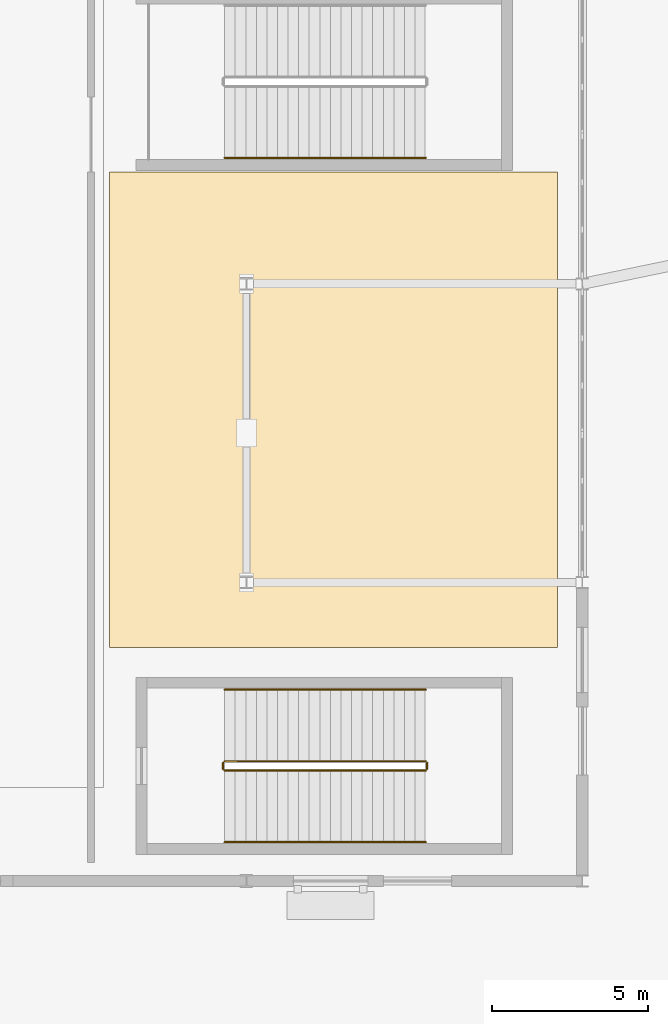
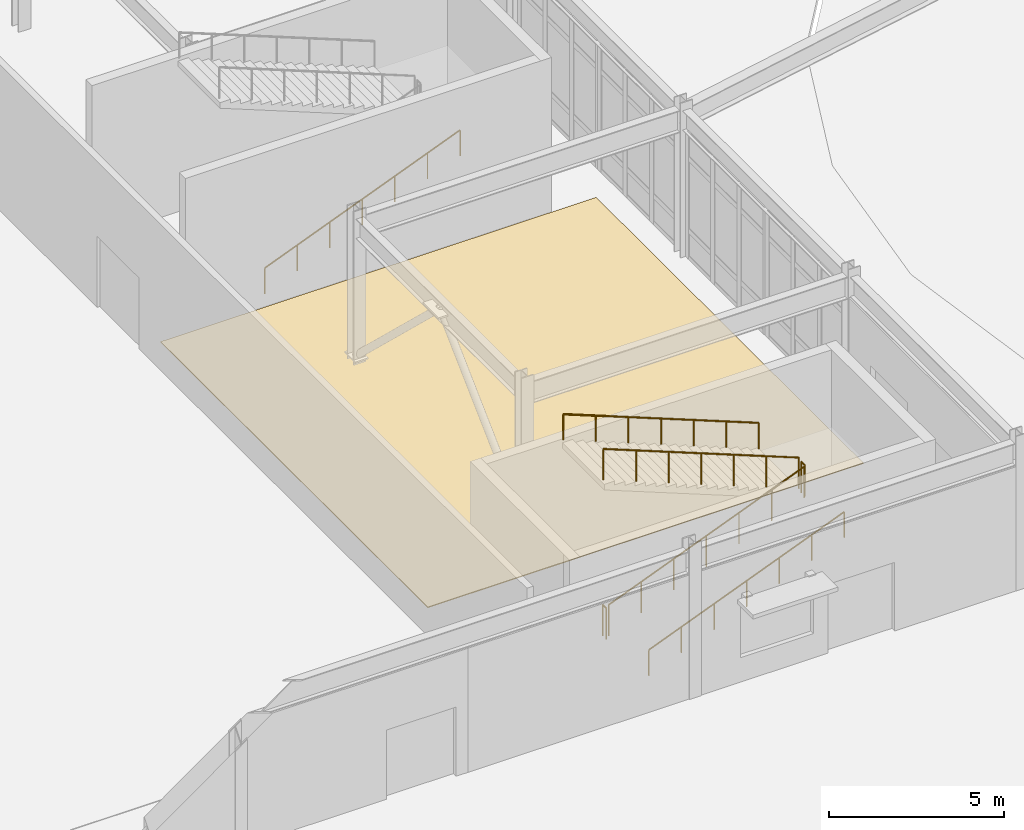
# One storey, part 46 of 54: 7 railings, 1 covering.
"""IFC4 building model written with IfcOpenShell, lengths in metres."""

from ifc_helpers import new_model, si_unit, direction, frame, origin, origin_2d, place, context, subcontext, project, spatial, polyline, circle, outline, extrude, material, layer, layer_set, type_object, element, save


model = new_model("IFC4")

# Units and contexts
model_context = context("Model", 3, precision=1e-05, world=origin(), true_north=direction((0.0, 1.0)))
body_context = subcontext(model_context, "Body", "Model", "MODEL_VIEW")
ifc_project = project(units=[si_unit("LENGTHUNIT", "METRE"), si_unit("AREAUNIT", "SQUARE_METRE"), si_unit("VOLUMEUNIT", "CUBIC_METRE"), si_unit("PLANEANGLEUNIT", "RADIAN"), si_unit("MASSUNIT", "GRAM", prefix="KILO")], contexts=[model_context])

# Site, building, storey
site_placement = place(None, origin())
site = spatial("IfcSite", under=ifc_project, at=site_placement, CompositionType="ELEMENT")
building_placement = place(site_placement, origin())
building = spatial("IfcBuilding", under=site, at=building_placement, Name="Veldera Park Congress Hotel", CompositionType="ELEMENT")
storey_placement = place(building_placement, origin())
storey = spatial("IfcBuildingStorey", under=building, at=storey_placement, Name="L00", CompositionType="ELEMENT", Elevation=0.0)

# Covering
ifc_material_1 = material(Name="Polished Sonoran Aggregate Terrazzo", Category="concrete")
ifc_layer = layer(ifc_material_1, 0.030029296875)
ifc_layer_set = layer_set([ifc_layer], Name="Polished Sonoran Aggregate Terrazzo")
covering_type = type_object("IfcCoveringType", Name="COV-FLR-TRZ", PredefinedType="FLOORING", material=ifc_layer_set)
covering_placement = place(storey_placement, origin())
element("IfcCovering", 1, at=covering_placement, inside=storey, type_object=covering_type, Name="Congress South Concourse Terrazzo Flooring", PredefinedType="FLOORING", context=body_context, shape_type="SweptSolid", body=[
    extrude(outline(polyline([(-16.800048828125, -13.5), (-2.39990234375, -13.5), (-2.39990234375, 1.800048828125), (-16.800048828125, 1.800048828125), (-16.800048828125, -13.5)])), origin(), (0.0, 0.0, 1.0), 0.030029296875),
])

# Railings
ifc_material_2 = material(Name="Steel ASTM A992 Gr.50", Category="steel")
railing_type_1 = type_object("IfcRailingType", Name="GRD-ST110", PredefinedType="GUARDRAIL", material=ifc_material_2)
railing_1_placement = place(storey_placement, frame((-13.10009765625, -17.449951171875, 0.135009765625)))
element("IfcRailing", 2, at=railing_1_placement, inside=storey, type_object=railing_type_1, Name="L00 ST5 stair guard 1", PredefinedType="GUARDRAIL", context=body_context, shape_type="SweptSolid", body=[
    extrude(circle(Radius=0.02392578125, at=origin_2d()), frame((0.0, 0.0, 1.076171875), z_axis=(0.929423222467, 0.0, 0.369015546474), x_axis=(0.0, 1.0, 0.0)), (0.0, 0.0, 1.0), 6.95068359375),
    extrude(circle(Radius=0.02099609375, at=origin_2d()), origin(), (0.0, 0.0, 1.0), 1.052001953125),
    extrude(circle(Radius=0.02099609375, at=origin_2d()), frame((1.07666015625, 0.0, 0.427490234375)), (0.0, 0.0, 1.0), 1.052001953125),
    extrude(circle(Radius=0.02099609375, at=origin_2d()), frame((2.1533203125, 0.0, 0.85498046875)), (0.0, 0.0, 1.0), 1.052001953125),
    extrude(circle(Radius=0.02099609375, at=origin_2d()), frame((3.22998046875, 0.0, 1.282470703125)), (0.0, 0.0, 1.0), 1.052001953125),
    extrude(circle(Radius=0.02099609375, at=origin_2d()), frame((4.306884765625, 0.0, 1.7099609375)), (0.0, 0.0, 1.0), 1.052001953125),
    extrude(circle(Radius=0.02099609375, at=origin_2d()), frame((5.383544921875, 0.0, 2.137451171875)), (0.0, 0.0, 1.0), 1.052001953125),
    extrude(circle(Radius=0.02099609375, at=origin_2d()), frame((6.460205078125, 0.0, 2.56494140625)), (0.0, 0.0, 1.0), 1.052001953125),
])
railing_2_placement = place(storey_placement, frame((-6.590087890625, -17.39990234375, 2.699951171875)))
element("IfcRailing", 3, at=railing_2_placement, inside=storey, type_object=railing_type_1, Name="L00 ST5 stair guard 2", PredefinedType="GUARDRAIL", context=body_context, shape_type="SweptSolid", body=[
    extrude(circle(Radius=0.02392578125, at=origin_2d()), frame((0.0, 0.0, 1.076171875), z_axis=(0.0, 1.0, 0.0), x_axis=(-1.0, 0.0, 0.0)), (0.0, 0.0, 1.0), 0.199951171875),
    extrude(circle(Radius=0.02099609375, at=origin_2d()), origin(), (0.0, 0.0, 1.0), 1.052001953125),
    extrude(circle(Radius=0.02099609375, at=origin_2d()), frame((0.0, 0.199951171875, 0.0)), (0.0, 0.0, 1.0), 1.052001953125),
])
railing_3_placement = place(storey_placement, frame((-6.639892578125, -17.14990234375, 2.8349609375)))
element("IfcRailing", 4, at=railing_3_placement, inside=storey, type_object=railing_type_1, Name="L00 ST5 stair guard 3", PredefinedType="GUARDRAIL", context=body_context, shape_type="SweptSolid", body=[
    extrude(circle(Radius=0.02392578125, at=origin_2d()), frame((0.0, 0.0, 1.076171875), z_axis=(-0.929423222467, 0.0, 0.369015546474), x_axis=(0.0, -1.0, 0.0)), (0.0, 0.0, 1.0), 6.95068359375),
    extrude(circle(Radius=0.02099609375, at=origin_2d()), origin(), (0.0, 0.0, 1.0), 1.052001953125),
    extrude(circle(Radius=0.02099609375, at=origin_2d()), frame((-1.07666015625, 0.0, 0.427490234375)), (0.0, 0.0, 1.0), 1.052001953125),
    extrude(circle(Radius=0.02099609375, at=origin_2d()), frame((-2.1533203125, 0.0, 0.85498046875)), (0.0, 0.0, 1.0), 1.052001953125),
    extrude(circle(Radius=0.02099609375, at=origin_2d()), frame((-3.22998046875, 0.0, 1.282470703125)), (0.0, 0.0, 1.0), 1.052001953125),
    extrude(circle(Radius=0.02099609375, at=origin_2d()), frame((-4.306884765625, 0.0, 1.7099609375)), (0.0, 0.0, 1.0), 1.052001953125),
    extrude(circle(Radius=0.02099609375, at=origin_2d()), frame((-5.383544921875, 0.0, 2.137451171875)), (0.0, 0.0, 1.0), 1.052001953125),
    extrude(circle(Radius=0.02099609375, at=origin_2d()), frame((-6.460205078125, 0.0, 2.56494140625)), (0.0, 0.0, 1.0), 1.052001953125),
])
railing_4_placement = place(storey_placement, frame((-13.14990234375, -17.39990234375, 0.0)))
element("IfcRailing", 5, at=railing_4_placement, inside=storey, type_object=railing_type_1, Name="L00 ST5 stair guard 4", PredefinedType="GUARDRAIL", context=body_context, shape_type="SweptSolid", body=[
    extrude(circle(Radius=0.02392578125, at=origin_2d()), frame((0.0, 0.0, 1.076171875), z_axis=(0.0, 1.0, 0.0), x_axis=(-1.0, 0.0, 0.0)), (0.0, 0.0, 1.0), 0.199951171875),
    extrude(circle(Radius=0.02099609375, at=origin_2d()), origin(), (0.0, 0.0, 1.0), 1.052001953125),
    extrude(circle(Radius=0.02099609375, at=origin_2d()), frame((0.0, 0.199951171875, 0.0)), (0.0, 0.0, 1.0), 1.052001953125),
])
railing_type_2 = type_object("IfcRailingType", Name="HRL-920", PredefinedType="HANDRAIL", material=ifc_material_2)
railing_5_placement = place(storey_placement, frame((-13.10009765625, -19.75, 0.135009765625)))
element("IfcRailing", 6, at=railing_5_placement, inside=storey, type_object=railing_type_2, Name="L00 ST5 stair handrail 1", PredefinedType="HANDRAIL", context=body_context, shape_type="SweptSolid", body=[
    extrude(circle(Radius=0.02392578125, at=origin_2d()), frame((0.0, 0.0, 0.89599609375), z_axis=(0.929423222467, 0.0, 0.369015546474), x_axis=(0.0, 1.0, 0.0)), (0.0, 0.0, 1.0), 6.95068359375),
    extrude(circle(Radius=0.02099609375, at=origin_2d()), origin(), (0.0, 0.0, 1.0), 0.871826171875),
    extrude(circle(Radius=0.02099609375, at=origin_2d()), frame((1.07666015625, 0.0, 0.427490234375)), (0.0, 0.0, 1.0), 0.871826171875),
    extrude(circle(Radius=0.02099609375, at=origin_2d()), frame((2.1533203125, 0.0, 0.85498046875)), (0.0, 0.0, 1.0), 0.871826171875),
    extrude(circle(Radius=0.02099609375, at=origin_2d()), frame((3.22998046875, 0.0, 1.282470703125)), (0.0, 0.0, 1.0), 0.871826171875),
    extrude(circle(Radius=0.02099609375, at=origin_2d()), frame((4.306884765625, 0.0, 1.7099609375)), (0.0, 0.0, 1.0), 0.871826171875),
    extrude(circle(Radius=0.02099609375, at=origin_2d()), frame((5.383544921875, 0.0, 2.137451171875)), (0.0, 0.0, 1.0), 0.871826171875),
    extrude(circle(Radius=0.02099609375, at=origin_2d()), frame((6.460205078125, 0.0, 2.56494140625)), (0.0, 0.0, 1.0), 0.871826171875),
])
railing_6_placement = place(storey_placement, frame((-6.639892578125, -14.85009765625, 2.8349609375)))
element("IfcRailing", 7, at=railing_6_placement, inside=storey, type_object=railing_type_2, Name="L00 ST5 stair handrail 2", PredefinedType="HANDRAIL", context=body_context, shape_type="SweptSolid", body=[
    extrude(circle(Radius=0.02392578125, at=origin_2d()), frame((0.0, 0.0, 0.89599609375), z_axis=(-0.929423222467, 0.0, 0.369015546474), x_axis=(0.0, -1.0, 0.0)), (0.0, 0.0, 1.0), 6.95068359375),
    extrude(circle(Radius=0.02099609375, at=origin_2d()), origin(), (0.0, 0.0, 1.0), 0.871826171875),
    extrude(circle(Radius=0.02099609375, at=origin_2d()), frame((-1.07666015625, 0.0, 0.427490234375)), (0.0, 0.0, 1.0), 0.871826171875),
    extrude(circle(Radius=0.02099609375, at=origin_2d()), frame((-2.1533203125, 0.0, 0.85498046875)), (0.0, 0.0, 1.0), 0.871826171875),
    extrude(circle(Radius=0.02099609375, at=origin_2d()), frame((-3.22998046875, 0.0, 1.282470703125)), (0.0, 0.0, 1.0), 0.871826171875),
    extrude(circle(Radius=0.02099609375, at=origin_2d()), frame((-4.306884765625, 0.0, 1.7099609375)), (0.0, 0.0, 1.0), 0.871826171875),
    extrude(circle(Radius=0.02099609375, at=origin_2d()), frame((-5.383544921875, 0.0, 2.137451171875)), (0.0, 0.0, 1.0), 0.871826171875),
    extrude(circle(Radius=0.02099609375, at=origin_2d()), frame((-6.460205078125, 0.0, 2.56494140625)), (0.0, 0.0, 1.0), 0.871826171875),
])
railing_7_placement = place(storey_placement, frame((-13.10009765625, 2.25, 0.135009765625)))
element("IfcRailing", 8, at=railing_7_placement, inside=storey, type_object=railing_type_2, Name="L00 ST9 stair handrail 1", PredefinedType="HANDRAIL", context=body_context, shape_type="SweptSolid", body=[
    extrude(circle(Radius=0.02392578125, at=origin_2d()), frame((0.0, 0.0, 0.89599609375), z_axis=(0.929423222467, 0.0, 0.369015546474), x_axis=(0.0, 1.0, 0.0)), (0.0, 0.0, 1.0), 6.95068359375),
    extrude(circle(Radius=0.02099609375, at=origin_2d()), origin(), (0.0, 0.0, 1.0), 0.871826171875),
    extrude(circle(Radius=0.02099609375, at=origin_2d()), frame((1.07666015625, 0.0, 0.427490234375)), (0.0, 0.0, 1.0), 0.871826171875),
    extrude(circle(Radius=0.02099609375, at=origin_2d()), frame((2.1533203125, 0.0, 0.85498046875)), (0.0, 0.0, 1.0), 0.871826171875),
    extrude(circle(Radius=0.02099609375, at=origin_2d()), frame((3.22998046875, 0.0, 1.282470703125)), (0.0, 0.0, 1.0), 0.871826171875),
    extrude(circle(Radius=0.02099609375, at=origin_2d()), frame((4.306884765625, 0.0, 1.7099609375)), (0.0, 0.0, 1.0), 0.871826171875),
    extrude(circle(Radius=0.02099609375, at=origin_2d()), frame((5.383544921875, 0.0, 2.137451171875)), (0.0, 0.0, 1.0), 0.871826171875),
    extrude(circle(Radius=0.02099609375, at=origin_2d()), frame((6.460205078125, 0.0, 2.56494140625)), (0.0, 0.0, 1.0), 0.871826171875),
])

save(model, "model.ifc")
